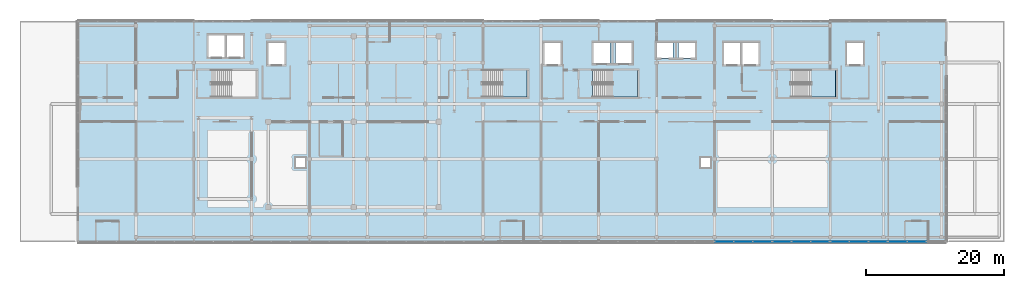
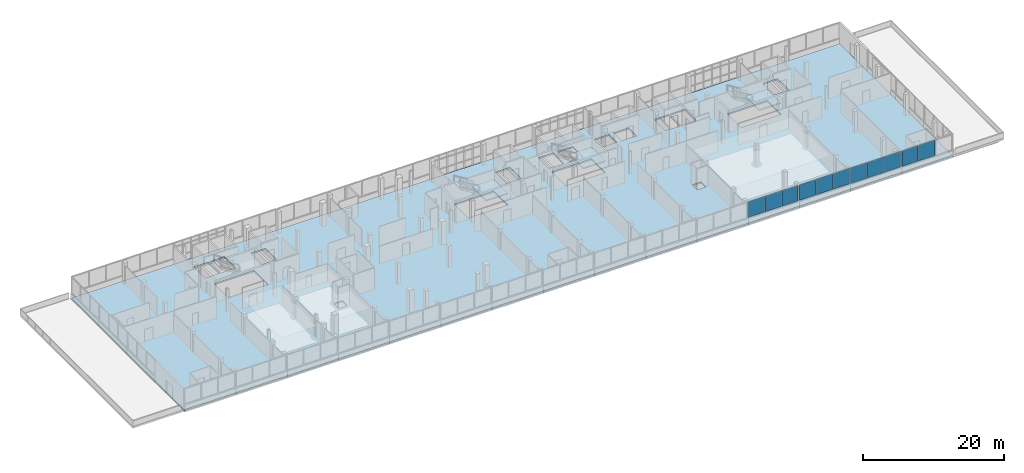
# One storey, part 53 of 67: 11 plates, 4 slabs, 7 elements without a shape of their own.
"""IFC4 building model written with IfcOpenShell, lengths in metres."""

import ifcopenshell
import ifcopenshell.guid

model = None  # the IFC model being written
_history = None  # IfcOwnerHistory: only IFC2X3 demands one
_inside = {}  # id of a spatial element -> (the spatial element, [elements in it])
_under = {}  # id of a project, library or spatial element -> (it, [spatial elements below it])
_declared = {}  # id of a project -> (the project, [libraries it declares])
_typed = {}  # id of a type object -> (the type object, [elements of that type])
_made_of = {}  # id of a material, layer set ... -> (it, [elements and type objects made of it])


def new_model(schema):
    """Start an empty IFC model of exactly this schema.

    Asked for "IFC4X3", IfcOpenShell would pick the latest addendum, in which some entities
    have other attributes; the version numbers below select the first issue.
    IFC2X3 requires an IfcOwnerHistory on every rooted entity: one is made here for all.
    """
    global model, _history
    if schema == "IFC4X3":
        model = ifcopenshell.file(schema_version=(4, 3, 0, 0))
    else:
        model = ifcopenshell.file(schema=schema)
    _inside.clear()
    _under.clear()
    _declared.clear()
    _typed.clear()
    _made_of.clear()
    _history = None
    if model.schema == "IFC2X3":
        org = make("IfcOrganization", Name="unknown")
        user = make(
            "IfcPersonAndOrganization",
            ThePerson=make("IfcPerson", FamilyName="unknown"),
            TheOrganization=org,
        )
        app = make(
            "IfcApplication",
            ApplicationDeveloper=org,
            Version="unknown",
            ApplicationFullName="unknown",
            ApplicationIdentifier="unknown",
        )
        _history = make(
            "IfcOwnerHistory",
            OwningUser=user,
            OwningApplication=app,
            ChangeAction="ADDED",
            CreationDate=0,
        )
    return model


def make(cls, **values):
    """One entity of the class cls with the attributes given. An attribute that is None is left unset."""
    return model.create_entity(
        cls, **{name: value for name, value in values.items() if value is not None}
    )


def rooted(cls, **values):
    """An entity with a GlobalId (a new one), such as an element, a storey or a relation."""
    return make(cls, GlobalId=ifcopenshell.guid.new(), OwnerHistory=_history, **values)


def si_unit(unit_type, name, prefix=None):
    """IfcSIUnit, for example si_unit("LENGTHUNIT", "METRE", prefix="MILLI")."""
    return make("IfcSIUnit", UnitType=unit_type, Prefix=prefix, Name=name)


def assignment(units):
    """IfcUnitAssignment: the units of a project."""
    return None if units is None else make("IfcUnitAssignment", Units=units)


def point(xyz):
    """IfcCartesianPoint."""
    return None if xyz is None else make("IfcCartesianPoint", Coordinates=xyz)


def direction(xyz):
    """IfcDirection."""
    return None if xyz is None else make("IfcDirection", DirectionRatios=xyz)


def frame(location, z_axis=None, x_axis=None):
    """IfcAxis2Placement3D, a coordinate frame: its origin and axes. An axis left out is left unset."""
    return make(
        "IfcAxis2Placement3D",
        Location=point(location),
        Axis=direction(z_axis),
        RefDirection=direction(x_axis),
    )


def frame_2d(location, x_axis=None):
    """IfcAxis2Placement2D, a coordinate frame in the plane: its origin and x axis."""
    return make(
        "IfcAxis2Placement2D", Location=point(location), RefDirection=direction(x_axis)
    )


def origin():
    """The frame at (0, 0, 0) with its axes left unset."""
    return frame((0.0, 0.0, 0.0))


def origin_2d():
    """The frame at (0, 0) in the plane with its x axis left unset."""
    return frame_2d((0.0, 0.0))


def place(relative_to, where):
    """IfcLocalPlacement: puts the frame where relative to a parent placement (None: the world)."""
    return make(
        "IfcLocalPlacement", PlacementRelTo=relative_to, RelativePlacement=where
    )


def context(
    kind, dimensions, precision=None, world=None, true_north=None, identifier=None
):
    """IfcGeometricRepresentationContext, for example the 3D "Model" context."""
    return make(
        "IfcGeometricRepresentationContext",
        ContextIdentifier=identifier,
        ContextType=kind,
        CoordinateSpaceDimension=dimensions,
        Precision=precision,
        WorldCoordinateSystem=world,
        TrueNorth=true_north,
    )


def subcontext(parent, identifier, kind, view, scale=None):
    """IfcGeometricRepresentationSubContext, for example "Body" below "Model"."""
    return make(
        "IfcGeometricRepresentationSubContext",
        ContextIdentifier=identifier,
        ContextType=kind,
        ParentContext=parent,
        TargetScale=scale,
        TargetView=view,
    )


def project(units=None, contexts=None):
    """IfcProject with its units and contexts."""
    return rooted(
        "IfcProject",
        Name="project",
        RepresentationContexts=contexts,
        UnitsInContext=assignment(units),
    )


def spatial(cls, under=None, at=None, **own):
    """A site, building, storey or space (cls), placed at a placement, below another one or the project."""
    s = rooted(cls, ObjectPlacement=at, **own)
    if under is not None:
        _under.setdefault(under.id(), (under, []))[1].append(s)
    return s


def polyline(points):
    """IfcPolyline through the points."""
    return make("IfcPolyline", Points=[point(p) for p in points])


def profile(cls, at=None, kind="AREA", **sizes):
    """A parametric profile (cls). Its sizes go by their IFC names, for example OverallWidth=200.0."""
    return make(cls, ProfileType=kind, Position=at, **sizes)


def rectangle(**sizes):
    """IfcRectangleProfileDef."""
    return profile("IfcRectangleProfileDef", **sizes)


def outline(outer, holes=None, kind="AREA"):
    """IfcArbitraryClosedProfileDef: a profile drawn as a closed curve; with holes, ...WithVoids."""
    if holes is None:
        return make("IfcArbitraryClosedProfileDef", ProfileType=kind, OuterCurve=outer)
    return make(
        "IfcArbitraryProfileDefWithVoids",
        ProfileType=kind,
        OuterCurve=outer,
        InnerCurves=holes,
    )


def extrude(swept, where, along, depth):
    """IfcExtrudedAreaSolid: the profile swept, set in the frame where, extruded along a direction by depth."""
    return make(
        "IfcExtrudedAreaSolid",
        SweptArea=swept,
        Position=where,
        ExtrudedDirection=direction(along),
        Depth=depth,
    )


def shape(context_of_items, identifier, shape_type, items):
    """IfcShapeRepresentation: the items that make up one representation, for example the "Body"."""
    return make(
        "IfcShapeRepresentation",
        ContextOfItems=context_of_items,
        RepresentationIdentifier=identifier,
        RepresentationType=shape_type,
        Items=items,
    )


def material(Name=None, Category=None):
    """IfcMaterial."""
    return make("IfcMaterial", Name=Name, Category=Category)


def layer(
    of_material, thickness, ventilated=None, Name=None, Category=None, Priority=None
):
    """IfcMaterialLayer: one layer of a wall or slab, of a material (None: an air gap)."""
    return make(
        "IfcMaterialLayer",
        Material=of_material,
        LayerThickness=thickness,
        IsVentilated=ventilated,
        Name=Name,
        Category=Category,
        Priority=Priority,
    )


def layer_set(layers, Name=None):
    """IfcMaterialLayerSet."""
    return make("IfcMaterialLayerSet", MaterialLayers=layers, LayerSetName=Name)


def made_of(thing, what):
    """Note that an element or type object is made of a material, layer set ...; save() writes the relation."""
    if what is not None:
        _made_of.setdefault(what.id(), (what, []))[1].append(thing)
    return thing


def type_object(cls, material=None, **own):
    """A type object (cls), such as IfcWallType, which elements share."""
    return made_of(rooted(cls, **own), material)


def element(
    cls,
    number,
    at=None,
    inside=None,
    cuts=None,
    type_object=None,
    material=None,
    context=None,
    identifier="Body",
    shape_type=None,
    held_by="IfcProductDefinitionShape",
    body=None,
    shapes=None,
    **own,
):
    """One element of the class cls, such as IfcWall. Its Tag is "e" and its number.

    at: its placement. inside: the storey or other place that contains it. cuts: it is an
    opening in that element (IfcRelVoidsElement). A single representation is given by context,
    identifier, shape_type and body (its items); several are given by shapes. held_by: the class
    of the entity that holds the representations. save() writes the other relations.
    """
    e = rooted(cls, Tag="e%d" % number, ObjectPlacement=at, **own)
    if body is not None:
        shapes = [shape(context, identifier, shape_type, body)]
    if shapes is not None:
        e.Representation = make(held_by, Representations=shapes)
    if inside is not None:
        _inside.setdefault(inside.id(), (inside, []))[1].append(e)
    if cuts is not None:
        rooted(
            "IfcRelVoidsElement", RelatingBuildingElement=cuts, RelatedOpeningElement=e
        )
    if type_object is not None:
        _typed.setdefault(type_object.id(), (type_object, []))[1].append(e)
    return made_of(e, material)


def aggregate(whole, parts):
    """IfcRelAggregates: a whole, such as a stair, and the parts it consists of."""
    return rooted("IfcRelAggregates", RelatingObject=whole, RelatedObjects=parts)


def save(model, path):
    """Write the relations noted so far, then the file.

    IfcRelAggregates (storeys below a building ...), IfcRelContainedInSpatialStructure (elements
    in a storey), IfcRelDefinesByType, IfcRelAssociatesMaterial and IfcRelDeclares: one each for
    every whole, place, type object, material and project.
    """
    for whole, parts in _under.values():
        aggregate(whole, parts)
    for where, things in _inside.values():
        rooted(
            "IfcRelContainedInSpatialStructure",
            RelatedElements=things,
            RelatingStructure=where,
        )
    for kind, things in _typed.values():
        rooted("IfcRelDefinesByType", RelatedObjects=things, RelatingType=kind)
    for what, things in _made_of.values():
        rooted("IfcRelAssociatesMaterial", RelatedObjects=things, RelatingMaterial=what)
    for by, libraries in _declared.values():
        rooted("IfcRelDeclares", RelatingContext=by, RelatedDefinitions=libraries)
    model.write(path)


model = new_model("IFC4")

# Units and contexts
model_context = context("Model", 3, precision=1e-05, world=origin(), true_north=direction((0.0, 1.0)))
body_context = subcontext(model_context, "Body", "Model", "MODEL_VIEW")
ifc_project = project(units=[si_unit("LENGTHUNIT", "METRE"), si_unit("AREAUNIT", "SQUARE_METRE"), si_unit("VOLUMEUNIT", "CUBIC_METRE"), si_unit("PLANEANGLEUNIT", "RADIAN"), si_unit("MASSUNIT", "GRAM", prefix="KILO")], contexts=[model_context])

# Site, building, storey
site_placement = place(None, origin())
site = spatial("IfcSite", under=ifc_project, at=site_placement, CompositionType="ELEMENT")
building_placement = place(site_placement, origin())
building = spatial("IfcBuilding", under=site, at=building_placement, Name="Selatvlak General Hospital", CompositionType="ELEMENT")
storey_placement = place(building_placement, frame((0.0, 0.0, 35.39990234375)))
storey = spatial("IfcBuildingStorey", under=building, at=storey_placement, Name="L08", CompositionType="ELEMENT", Elevation=35.39990234375)

# Curtain wall, plates
ifc_material_1 = material(Name="Solar-control Low-E double glazing", Category="glass")
curtain_wall_type_1 = type_object("IfcCurtainWallType", Name="CW-CW-02", PredefinedType="USERDEFINED", material=ifc_material_1)
curtain_wall_1_placement = place(storey_placement, origin())
curtain_wall_1 = element("IfcCurtainWall", 1, at=curtain_wall_1_placement, inside=storey, type_object=curtain_wall_type_1, Name="Glazed facade curtain wall CW-L08-0701", ObjectType="UNITISED CURTAIN WALL", PredefinedType="USERDEFINED")
ifc_layer_1 = layer(ifc_material_1, 0.028076171875, Name="Solar-control Low-E double glazing", Category="glass")
ifc_layer_set_1 = layer_set([ifc_layer_1], Name="Solar-control Low-E double glazing")
plate_type = type_object("IfcPlateType", Name="CWP-01", PredefinedType="CURTAIN_PANEL", material=ifc_layer_set_1)
plate_1_placement = place(storey_placement, frame((152.97509765625, 88.0009765625, 1.005126953125), z_axis=(0.0, 0.0, 1.0), x_axis=(-1.0, 0.0, 0.0)))
plate_1 = element("IfcPlate", 2, at=plate_1_placement, type_object=plate_type, Name="CW-02 panel 2.1", PredefinedType="CURTAIN_PANEL", context=body_context, shape_type="SweptSolid", body=[
    extrude(rectangle(XDim=2.708251953125, YDim=0.028076171875, at=origin_2d()), origin(), (0.0, 0.0, 1.0), 2.669921875),
])
plate_2_placement = place(storey_placement, frame((150.218017578125, 88.0009765625, 1.005126953125), z_axis=(0.0, 0.0, 1.0), x_axis=(-1.0, 0.0, 0.0)))
plate_2 = element("IfcPlate", 3, at=plate_2_placement, type_object=plate_type, Name="CW-02 panel 3.1", PredefinedType="CURTAIN_PANEL", context=body_context, shape_type="SweptSolid", body=[
    extrude(rectangle(XDim=2.67578125, YDim=0.028076171875, at=origin_2d()), origin(), (0.0, 0.0, 1.0), 2.669921875),
])
aggregate(curtain_wall_1, [plate_1, plate_2])

curtain_wall_type_2 = type_object("IfcCurtainWallType", Name="CW-CW-01", PredefinedType="USERDEFINED", material=ifc_material_1)
curtain_wall_2_placement = place(storey_placement, origin())
curtain_wall_2 = element("IfcCurtainWall", 4, at=curtain_wall_2_placement, inside=storey, type_object=curtain_wall_type_2, Name="Glazed facade curtain wall CW-L08-0702", ObjectType="UNITISED CURTAIN WALL", PredefinedType="USERDEFINED")
plate_3_placement = place(storey_placement, frame((147.33203125, 88.0009765625, 1.005126953125), z_axis=(0.0, 0.0, 1.0), x_axis=(-1.0, 0.0, 0.0)))
plate_3 = element("IfcPlate", 5, at=plate_3_placement, type_object=plate_type, Name="CW-01 panel 1.1", PredefinedType="CURTAIN_PANEL", context=body_context, shape_type="SweptSolid", body=[
    extrude(rectangle(XDim=2.67578125, YDim=0.028076171875, at=origin_2d()), origin(), (0.0, 0.0, 1.0), 2.669921875),
])
plate_4_placement = place(storey_placement, frame((144.574951171875, 88.0009765625, 1.005126953125), z_axis=(0.0, 0.0, 1.0), x_axis=(-1.0, 0.0, 0.0)))
plate_4 = element("IfcPlate", 6, at=plate_4_placement, type_object=plate_type, Name="CW-01 panel 2.1", PredefinedType="CURTAIN_PANEL", context=body_context, shape_type="SweptSolid", body=[
    extrude(rectangle(XDim=2.708251953125, YDim=0.028076171875, at=origin_2d()), origin(), (0.0, 0.0, 1.0), 2.669921875),
])
plate_5_placement = place(storey_placement, frame((141.81787109375, 88.0009765625, 1.005126953125), z_axis=(0.0, 0.0, 1.0), x_axis=(-1.0, 0.0, 0.0)))
plate_5 = element("IfcPlate", 7, at=plate_5_placement, type_object=plate_type, Name="CW-01 panel 3.1", PredefinedType="CURTAIN_PANEL", context=body_context, shape_type="SweptSolid", body=[
    extrude(rectangle(XDim=2.67578125, YDim=0.028076171875, at=origin_2d()), origin(), (0.0, 0.0, 1.0), 2.669921875),
])
aggregate(curtain_wall_2, [plate_3, plate_4, plate_5])

curtain_wall_3_placement = place(storey_placement, origin())
curtain_wall_3 = element("IfcCurtainWall", 8, at=curtain_wall_3_placement, inside=storey, type_object=curtain_wall_type_1, Name="Glazed facade curtain wall CW-L08-0703", ObjectType="UNITISED CURTAIN WALL", PredefinedType="USERDEFINED")
plate_6_placement = place(storey_placement, frame((138.93212890625, 88.0009765625, 1.005126953125), z_axis=(0.0, 0.0, 1.0), x_axis=(-1.0, 0.0, 0.0)))
plate_6 = element("IfcPlate", 9, at=plate_6_placement, type_object=plate_type, Name="CW-02 panel 1.1", PredefinedType="CURTAIN_PANEL", context=body_context, shape_type="SweptSolid", body=[
    extrude(rectangle(XDim=2.67578125, YDim=0.028076171875, at=origin_2d()), origin(), (0.0, 0.0, 1.0), 2.669921875),
])
plate_7_placement = place(storey_placement, frame((136.175048828125, 88.0009765625, 1.005126953125), z_axis=(0.0, 0.0, 1.0), x_axis=(-1.0, 0.0, 0.0)))
plate_7 = element("IfcPlate", 10, at=plate_7_placement, type_object=plate_type, Name="CW-02 panel 2.1", PredefinedType="CURTAIN_PANEL", context=body_context, shape_type="SweptSolid", body=[
    extrude(rectangle(XDim=2.708251953125, YDim=0.028076171875, at=origin_2d()), origin(), (0.0, 0.0, 1.0), 2.669921875),
])
plate_8_placement = place(storey_placement, frame((133.41796875, 88.0009765625, 1.005126953125), z_axis=(0.0, 0.0, 1.0), x_axis=(-1.0, 0.0, 0.0)))
plate_8 = element("IfcPlate", 11, at=plate_8_placement, type_object=plate_type, Name="CW-02 panel 3.1", PredefinedType="CURTAIN_PANEL", context=body_context, shape_type="SweptSolid", body=[
    extrude(rectangle(XDim=2.67578125, YDim=0.028076171875, at=origin_2d()), origin(), (0.0, 0.0, 1.0), 2.669921875),
])
aggregate(curtain_wall_3, [plate_6, plate_7, plate_8])

curtain_wall_4_placement = place(storey_placement, origin())
curtain_wall_4 = element("IfcCurtainWall", 12, at=curtain_wall_4_placement, inside=storey, type_object=curtain_wall_type_2, Name="Glazed facade curtain wall CW-L08-0704", ObjectType="UNITISED CURTAIN WALL", PredefinedType="USERDEFINED")
plate_9_placement = place(storey_placement, frame((130.531982421875, 88.0009765625, 1.005126953125), z_axis=(0.0, 0.0, 1.0), x_axis=(-1.0, 0.0, 0.0)))
plate_9 = element("IfcPlate", 13, at=plate_9_placement, type_object=plate_type, Name="CW-01 panel 1.1", PredefinedType="CURTAIN_PANEL", context=body_context, shape_type="SweptSolid", body=[
    extrude(rectangle(XDim=2.67578125, YDim=0.028076171875, at=origin_2d()), origin(), (0.0, 0.0, 1.0), 2.669921875),
])
plate_10_placement = place(storey_placement, frame((127.77490234375, 88.0009765625, 1.005126953125), z_axis=(0.0, 0.0, 1.0), x_axis=(-1.0, 0.0, 0.0)))
plate_10 = element("IfcPlate", 14, at=plate_10_placement, type_object=plate_type, Name="CW-01 panel 2.1", PredefinedType="CURTAIN_PANEL", context=body_context, shape_type="SweptSolid", body=[
    extrude(rectangle(XDim=2.708251953125, YDim=0.028076171875, at=origin_2d()), origin(), (0.0, 0.0, 1.0), 2.669921875),
])
plate_11_placement = place(storey_placement, frame((125.017822265625, 88.0009765625, 1.005126953125), z_axis=(0.0, 0.0, 1.0), x_axis=(-1.0, 0.0, 0.0)))
plate_11 = element("IfcPlate", 15, at=plate_11_placement, type_object=plate_type, Name="CW-01 panel 3.1", PredefinedType="CURTAIN_PANEL", context=body_context, shape_type="SweptSolid", body=[
    extrude(rectangle(XDim=2.67578125, YDim=0.028076171875, at=origin_2d()), origin(), (0.0, 0.0, 1.0), 2.669921875),
])
aggregate(curtain_wall_4, [plate_9, plate_10, plate_11])

# Stair, slab
ifc_material_2 = material(Name="Precast concrete C40/50", Category="concrete")
stair_type_1 = type_object("IfcStairType", Name="STAIR-ST-02", PredefinedType="HALF_TURN_STAIR", material=ifc_material_2)
stair_1_placement = place(storey_placement, origin())
stair_1 = element("IfcStair", 16, at=stair_1_placement, inside=storey, type_object=stair_type_1, Name="L08 Protected exit stair ST-02", PredefinedType="HALF_TURN_STAIR")
ifc_material_3 = material(Name="Concrete C40/50", Category="concrete")
ifc_layer_2 = layer(ifc_material_3, 0.199951171875, Name="Concrete C40/50", Category="concrete")
ifc_layer_set_2 = layer_set([ifc_layer_2], Name="Concrete C40/50")
slab_type_1 = type_object("IfcSlabType", Name="SLAB-LND1", PredefinedType="LANDING", material=ifc_layer_set_2)
slab_1_placement = place(storey_placement, frame((0.0, 0.0, 1.8251953125)))
slab_1 = element("IfcSlab", 17, at=slab_1_placement, type_object=slab_type_1, Name="ST-02 landing 1", PredefinedType="LANDING", context=body_context, shape_type="SweptSolid", body=[
    extrude(outline(polyline([(92.81494140625, 109.0), (96.39990234375, 109.0), (96.39990234375, 112.93994140625), (92.81494140625, 112.93994140625), (92.81494140625, 109.0)])), origin(), (0.0, 0.0, 1.0), 0.199951171875),
])
aggregate(stair_1, [slab_1])

stair_type_2 = type_object("IfcStairType", Name="STAIR-ST-03", PredefinedType="HALF_TURN_STAIR", material=ifc_material_2)
stair_2_placement = place(storey_placement, origin())
stair_2 = element("IfcStair", 18, at=stair_2_placement, inside=storey, type_object=stair_type_2, Name="L08 Protected exit stair ST-03", PredefinedType="HALF_TURN_STAIR")
slab_2_placement = place(storey_placement, frame((0.0, 0.0, 1.8251953125)))
slab_2 = element("IfcSlab", 19, at=slab_2_placement, type_object=slab_type_1, Name="ST-03 landing 1", PredefinedType="LANDING", context=body_context, shape_type="SweptSolid", body=[
    extrude(outline(polyline([(108.81494140625, 109.0), (112.39990234375, 109.0), (112.39990234375, 112.93994140625), (108.81494140625, 112.93994140625), (108.81494140625, 109.0)])), origin(), (0.0, 0.0, 1.0), 0.199951171875),
])
aggregate(stair_2, [slab_2])

stair_type_3 = type_object("IfcStairType", Name="STAIR-ST-04", PredefinedType="HALF_TURN_STAIR", material=ifc_material_2)
stair_3_placement = place(storey_placement, origin())
stair_3 = element("IfcStair", 20, at=stair_3_placement, inside=storey, type_object=stair_type_3, Name="L08 Protected exit stair ST-04", PredefinedType="HALF_TURN_STAIR")
slab_3_placement = place(storey_placement, frame((0.0, 0.0, 1.8251953125)))
slab_3 = element("IfcSlab", 21, at=slab_3_placement, type_object=slab_type_1, Name="ST-04 landing 1", PredefinedType="LANDING", context=body_context, shape_type="SweptSolid", body=[
    extrude(outline(polyline([(137.614990234375, 109.0), (141.199951171875, 109.0), (141.199951171875, 112.93994140625), (137.614990234375, 112.93994140625), (137.614990234375, 109.0)])), origin(), (0.0, 0.0, 1.0), 0.199951171875),
])
aggregate(stair_3, [slab_3])

# Slab
ifc_layer_3 = layer(ifc_material_3, 0.264892578125, Name="Concrete C40/50", Category="concrete")
ifc_layer_set_3 = layer_set([ifc_layer_3], Name="Concrete C40/50")
slab_type_2 = type_object("IfcSlabType", Name="SLAB-SL-FL8", PredefinedType="FLOOR", material=ifc_layer_set_3)
slab_4_placement = place(storey_placement, frame((0.0, 0.0, -0.264892578125)))
element("IfcSlab", 22, at=slab_4_placement, inside=storey, type_object=slab_type_2, Name="L08 V5N structural slab", PredefinedType="FLOOR", context=body_context, shape_type="SweptSolid", body=[
    extrude(outline(polyline([(31.199951171875, 88.0), (31.199951171875, 120.0), (157.199951171875, 120.0), (157.199951171875, 88.0), (31.199951171875, 88.0)]), holes=[polyline([(57.050048828125, 109.0), (57.050048828125, 112.93994140625), (50.554931640625, 112.93994140625), (50.554931640625, 109.0), (57.050048828125, 109.0)]), polyline([(89.905029296875, 109.0), (96.39990234375, 109.0), (96.39990234375, 112.93994140625), (89.905029296875, 112.93994140625), (89.905029296875, 109.0)]), polyline([(105.905029296875, 112.93994140625), (105.905029296875, 109.0), (112.39990234375, 109.0), (112.39990234375, 112.93994140625), (105.905029296875, 112.93994140625)]), polyline([(141.199951171875, 112.93994140625), (134.705078125, 112.93994140625), (134.705078125, 109.0), (141.199951171875, 109.0), (141.199951171875, 112.93994140625)]), polyline([(61.199951171875, 116.89990234375), (58.800048828125, 116.89990234375), (58.800048828125, 113.699951171875), (61.199951171875, 113.699951171875), (61.199951171875, 116.89990234375)]), polyline([(101.300048828125, 113.699951171875), (101.300048828125, 116.89990234375), (98.89990234375, 116.89990234375), (98.89990234375, 113.699951171875), (101.300048828125, 113.699951171875)]), polyline([(142.800048828125, 113.699951171875), (145.199951171875, 113.699951171875), (145.199951171875, 116.89990234375), (142.800048828125, 116.89990234375), (142.800048828125, 113.699951171875)]), polyline([(50.10009765625, 118.0), (50.10009765625, 114.800048828125), (52.5, 114.800048828125), (52.5, 118.0), (50.10009765625, 118.0)]), polyline([(55.14990234375, 118.0), (52.75, 118.0), (52.75, 114.800048828125), (55.14990234375, 114.800048828125), (55.14990234375, 118.0)]), polyline([(127.35009765625, 113.699951171875), (127.35009765625, 116.89990234375), (124.949951171875, 116.89990234375), (124.949951171875, 113.699951171875), (127.35009765625, 113.699951171875)]), polyline([(127.60009765625, 113.699951171875), (130.0, 113.699951171875), (130.0, 116.89990234375), (127.60009765625, 116.89990234375), (127.60009765625, 113.699951171875)]), polyline([(115.199951171875, 116.89990234375), (115.199951171875, 114.699951171875), (117.60009765625, 114.699951171875), (117.60009765625, 116.89990234375), (115.199951171875, 116.89990234375)]), polyline([(120.800048828125, 116.89990234375), (118.39990234375, 116.89990234375), (118.39990234375, 114.699951171875), (120.800048828125, 114.699951171875), (120.800048828125, 116.89990234375)]), polyline([(108.39990234375, 113.89990234375), (108.39990234375, 116.89990234375), (106.0, 116.89990234375), (106.0, 113.89990234375), (108.39990234375, 113.89990234375)]), polyline([(109.199951171875, 113.89990234375), (111.60009765625, 113.89990234375), (111.60009765625, 116.89990234375), (109.199951171875, 116.89990234375), (109.199951171875, 113.89990234375)]), polyline([(62.800048828125, 100.199951171875), (62.800048828125, 98.800048828125), (64.199951171875, 98.800048828125), (64.199951171875, 100.199951171875), (62.800048828125, 100.199951171875)]), polyline([(123.0, 100.199951171875), (121.60009765625, 100.199951171875), (121.60009765625, 98.800048828125), (123.0, 98.800048828125), (123.0, 100.199951171875)])]), origin(), (0.0, 0.0, 1.0), 0.264892578125),
])

save(model, "model.ifc")
